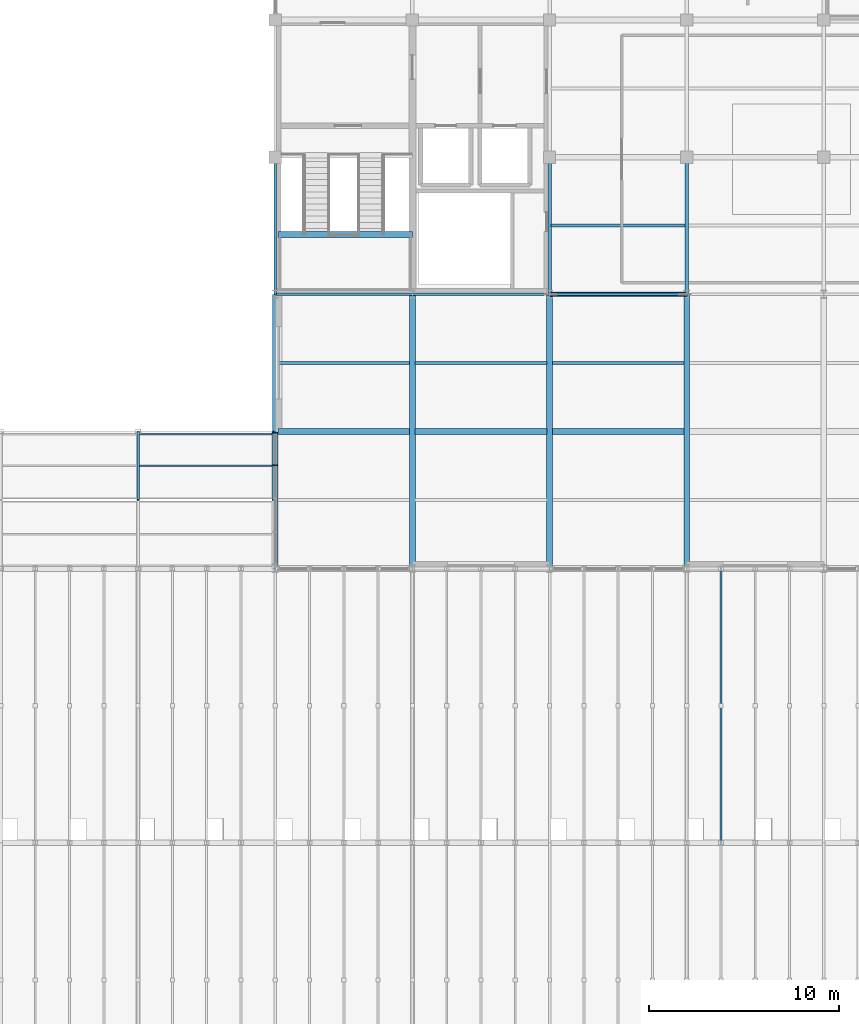
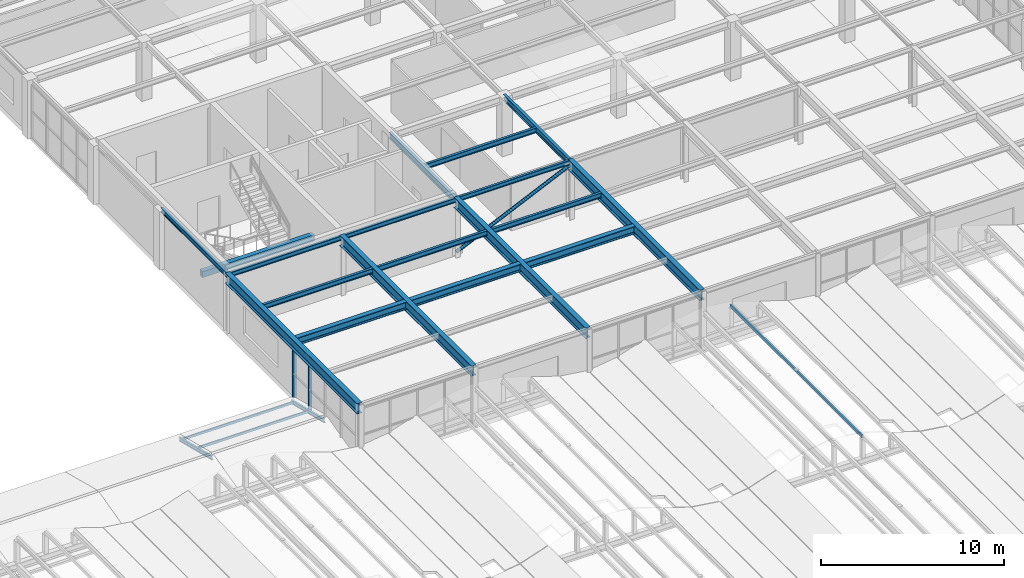
# One storey, part 35 of 83: 18 beams, 8 members, 1 element without a shape of its own.
"""IFC4 building model written with IfcOpenShell, lengths in metres."""

from ifc_helpers import new_model, si_unit, direction, frame, origin, origin_2d, place, context, subcontext, project, spatial, rectangle, hollow_rectangle, hollow_circle, i_section, extrude, material, material_profile, profile_set, type_object, element, aggregate, save


model = new_model("IFC4")

# Units and contexts
model_context = context("Model", 3, precision=1e-05, world=origin(), true_north=direction((0.0, 1.0)))
body_context = subcontext(model_context, "Body", "Model", "MODEL_VIEW")
ifc_project = project(units=[si_unit("LENGTHUNIT", "METRE"), si_unit("AREAUNIT", "SQUARE_METRE"), si_unit("VOLUMEUNIT", "CUBIC_METRE"), si_unit("PLANEANGLEUNIT", "RADIAN"), si_unit("MASSUNIT", "GRAM", prefix="KILO")], contexts=[model_context])

# Site, building, storey
site_placement = place(None, origin())
site = spatial("IfcSite", under=ifc_project, at=site_placement, CompositionType="ELEMENT")
building_placement = place(site_placement, origin())
building = spatial("IfcBuilding", under=site, at=building_placement, Name="Leyfeld Transit Interchange", CompositionType="ELEMENT")
storey_placement = place(building_placement, frame((0.0, 0.0, 5.39990234375)))
storey = spatial("IfcBuildingStorey", under=building, at=storey_placement, Name="L01", CompositionType="ELEMENT", Elevation=5.39990234375)

# Beams
ifc_material_1 = material(Name="Concrete C35/45", Category="concrete")
ifc_material_profile_1 = material_profile(ifc_material_1, rectangle(XDim=0.300048828125, YDim=0.39990234375, at=origin_2d()), Name="RC 400x300")
ifc_profile_set_1 = profile_set([ifc_material_profile_1], Name="Concrete C35/45")
beam_type_1 = type_object("IfcBeamType", Name="BM-RC-400x300", PredefinedType="LINTEL", material=ifc_profile_set_1)
beam_1_placement = place(storey_placement, frame((136.949951171875, 60.739990234375, 1.900146484375), z_axis=(1.0, 0.0, 0.0), x_axis=(0.0, 1.0, 0.0)))
element("IfcBeam", 1, at=beam_1_placement, inside=storey, type_object=beam_type_1, Name="Stair ST-04 L01 Half-Landing Corbel", PredefinedType="LINTEL", context=body_context, shape_type="SweptSolid", body=[
    extrude(rectangle(XDim=0.300048828125, YDim=0.39990234375, at=origin_2d()), origin(), (0.0, 0.0, 1.0), 7.050048828125),
])
ifc_material_2 = material(Name="Steel S355J2", Category="steel")
ifc_material_profile_2 = material_profile(ifc_material_2, i_section(OverallWidth=0.300048828125, OverallDepth=0.5, WebThickness=0.014404296875, FlangeThickness=0.028076171875, FilletRadius=0.027099609375, at=origin_2d()), Name="HEB 500")
ifc_profile_set_2 = profile_set([ifc_material_profile_2], Name="Steel S355J2")
beam_type_2 = type_object("IfcBeamType", Name="BM-STL-HEB500", PredefinedType="JOIST", material=ifc_profile_set_2)
for number, where, z_axis, x_axis, name in (
    (2, (136.947021484375, 50.39990234375, 3.7001953125), (1.0, 0.0, 0.0), (0.0, 1.0, 0.0), "Beam BM-L01-1369_0504-1439_0504"),
    (3, (144.14697265625, 50.39990234375, 3.7001953125), (1.0, 0.0, 0.0), (0.0, 1.0, 0.0), "Beam BM-L01-1441_0504-1511_0504"),
    (4, (151.346923828125, 50.39990234375, 3.7001953125), (1.0, 0.0, 0.0), (0.0, 1.0, 0.0), "Beam BM-L01-1513_0504-1583_0504"),
):
    element("IfcBeam", number, at=place(storey_placement, frame(where, z_axis=z_axis, x_axis=x_axis)), inside=storey, type_object=beam_type_2, Name=name, PredefinedType="JOIST", context=body_context, shape_type="SweptSolid", body=[
        extrude(i_section(OverallWidth=0.300048828125, OverallDepth=0.5, WebThickness=0.014404296875, FlangeThickness=0.028076171875, FilletRadius=0.027099609375, at=origin_2d()), origin(), (0.0, 0.0, 1.0), 6.906005859375),
    ])
ifc_material_profile_3 = material_profile(ifc_material_2, i_section(OverallWidth=0.300048828125, OverallDepth=0.699951171875, WebThickness=0.01708984375, FlangeThickness=0.031982421875, FilletRadius=0.027099609375, at=origin_2d()), Name="HEB 700")
ifc_profile_set_3 = profile_set([ifc_material_profile_3], Name="Steel S355J2")
beam_type_3 = type_object("IfcBeamType", Name="BM-STL-HEB700", PredefinedType="JOIST", material=ifc_profile_set_3)
for number, where, z_axis, x_axis, name in (
    (5, (136.800048828125, 43.199951171875, 3.60009765625), (0.0, 1.0, 0.0), (-1.0, 0.0, 0.0), "Beam BM-L01-1368_0432-1368_0576"),
    (6, (144.0, 43.199951171875, 3.60009765625), (0.0, 1.0, 0.0), (-1.0, 0.0, 0.0), "Beam BM-L01-1440_0432-1440_0576"),
    (7, (151.199951171875, 43.199951171875, 3.60009765625), (0.0, 1.0, 0.0), (-1.0, 0.0, 0.0), "Beam BM-L01-1512_0432-1512_0576"),
    (8, (158.39990234375, 43.199951171875, 3.60009765625), (0.0, 1.0, 0.0), (-1.0, 0.0, 0.0), "Beam BM-L01-1584_0432-1584_0576"),
):
    element("IfcBeam", number, at=place(storey_placement, frame(where, z_axis=z_axis, x_axis=x_axis)), inside=storey, type_object=beam_type_3, Name=name, PredefinedType="JOIST", context=body_context, shape_type="SweptSolid", body=[
        extrude(i_section(OverallWidth=0.300048828125, OverallDepth=0.699951171875, WebThickness=0.01708984375, FlangeThickness=0.031982421875, FilletRadius=0.027099609375, at=origin_2d()), origin(), (0.0, 0.0, 1.0), 14.400146484375),
    ])
ifc_material_profile_4 = material_profile(ifc_material_2, i_section(OverallWidth=0.14990234375, OverallDepth=0.300048828125, WebThickness=0.007080078125, FlangeThickness=0.0107421875, FilletRadius=0.014892578125, at=origin_2d()), Name="IPE 300")
ifc_profile_set_4 = profile_set([ifc_material_profile_4], Name="Steel S355J2")
beam_type_4 = type_object("IfcBeamType", Name="BM-STL-IPE300", PredefinedType="SPANDREL", material=ifc_profile_set_4)
for number, where, z_axis, x_axis, name in (
    (9, (136.800048828125, 57.60009765625, 3.75), (0.0, 1.0, 0.0), (-1.0, 0.0, 0.0), "Beam BM-L01-1368_0576-1368_0648"),
    (10, (136.800048828125, 57.60009765625, 3.75), (1.0, 0.0, 0.0), (0.0, 1.0, 0.0), "Beam BM-L01-1368_0576-1440_0576"),
    (11, (144.0, 57.60009765625, 3.75), (1.0, 0.0, 0.0), (0.0, 1.0, 0.0), "Beam BM-L01-1440_0576-1512_0576"),
    (12, (151.199951171875, 57.60009765625, 3.75), (1.0, 0.0, 0.0), (0.0, 1.0, 0.0), "Beam BM-L01-1512_0576-1584_0576"),
):
    element("IfcBeam", number, at=place(storey_placement, frame(where, z_axis=z_axis, x_axis=x_axis)), inside=storey, type_object=beam_type_4, Name=name, PredefinedType="SPANDREL", context=body_context, shape_type="SweptSolid", body=[
        extrude(i_section(OverallWidth=0.14990234375, OverallDepth=0.300048828125, WebThickness=0.007080078125, FlangeThickness=0.0107421875, FilletRadius=0.014892578125, at=origin_2d()), origin(), (0.0, 0.0, 1.0), 7.199951171875),
    ])
ifc_material_profile_5 = material_profile(ifc_material_2, i_section(OverallWidth=0.159912109375, OverallDepth=0.330078125, WebThickness=0.007568359375, FlangeThickness=0.011474609375, FilletRadius=0.01806640625, at=origin_2d()), Name="IPE 330")
ifc_profile_set_5 = profile_set([ifc_material_profile_5], Name="Steel S355J2")
beam_type_5 = type_object("IfcBeamType", Name="BM-STL-IPE330", PredefinedType="BEAM", material=ifc_profile_set_5)
beam_2_placement = place(storey_placement, frame((151.287109375, 61.199951171875, 3.735107421875), z_axis=(1.0, 0.0, 0.0), x_axis=(0.0, 1.0, 0.0)))
element("IfcBeam", 13, at=beam_2_placement, inside=storey, type_object=beam_type_5, Name="Beam BM-L01-1513_0612-1583_0612", PredefinedType="BEAM", context=body_context, shape_type="SweptSolid", body=[
    extrude(i_section(OverallWidth=0.159912109375, OverallDepth=0.330078125, WebThickness=0.007568359375, FlangeThickness=0.011474609375, FilletRadius=0.01806640625, at=origin_2d()), origin(), (0.0, 0.0, 1.0), 7.02587890625),
])
for number, where, z_axis, x_axis, name in (
    (14, (136.947021484375, 54.0, 3.78515625), (1.0, 0.0, 0.0), (0.0, 1.0, 0.0), "Beam BM-L01-1369_0540-1439_0540"),
    (15, (144.14697265625, 54.0, 3.78515625), (1.0, 0.0, 0.0), (0.0, 1.0, 0.0), "Beam BM-L01-1441_0540-1511_0540"),
    (16, (151.346923828125, 54.0, 3.78515625), (1.0, 0.0, 0.0), (0.0, 1.0, 0.0), "Beam BM-L01-1513_0540-1583_0540"),
):
    element("IfcBeam", number, at=place(storey_placement, frame(where, z_axis=z_axis, x_axis=x_axis)), inside=storey, type_object=beam_type_5, Name=name, PredefinedType="BEAM", context=body_context, shape_type="SweptSolid", body=[
        extrude(i_section(OverallWidth=0.159912109375, OverallDepth=0.330078125, WebThickness=0.007568359375, FlangeThickness=0.011474609375, FilletRadius=0.01806640625, at=origin_2d()), origin(), (0.0, 0.0, 1.0), 6.906005859375),
    ])
ifc_material_profile_6 = material_profile(ifc_material_2, i_section(OverallWidth=0.179931640625, OverallDepth=0.39990234375, WebThickness=0.008544921875, FlangeThickness=0.013427734375, FilletRadius=0.02099609375, at=origin_2d()), Name="IPE 400")
ifc_profile_set_6 = profile_set([ifc_material_profile_6], Name="Steel S355J2")
beam_type_6 = type_object("IfcBeamType", Name="BM-STL-IPE400", PredefinedType="BEAM", material=ifc_profile_set_6)
for number, where, z_axis, x_axis, name in (
    (17, (151.199951171875, 57.60009765625, 3.7001953125), (0.0, 1.0, 0.0), (-1.0, 0.0, 0.0), "Beam BM-L01-1512_0576-1512_0648"),
    (18, (158.39990234375, 57.60009765625, 3.7001953125), (0.0, 1.0, 0.0), (-1.0, 0.0, 0.0), "Beam BM-L01-1584_0576-1584_0648"),
):
    element("IfcBeam", number, at=place(storey_placement, frame(where, z_axis=z_axis, x_axis=x_axis)), inside=storey, type_object=beam_type_6, Name=name, PredefinedType="BEAM", context=body_context, shape_type="SweptSolid", body=[
        extrude(i_section(OverallWidth=0.179931640625, OverallDepth=0.39990234375, WebThickness=0.008544921875, FlangeThickness=0.013427734375, FilletRadius=0.02099609375, at=origin_2d()), origin(), (0.0, 0.0, 1.0), 7.199951171875),
    ])

# Curtain wall, members
ifc_material_3 = material(Name="Anodised aluminium EN AW-6060 T66", Category="aluminium")
curtain_wall_type = type_object("IfcCurtainWallType", Name="CW-SYS-PAS-7200", PredefinedType="NOTDEFINED", material=ifc_material_3)
curtain_wall_placement = place(storey_placement, origin())
curtain_wall = element("IfcCurtainWall", 19, at=curtain_wall_placement, inside=storey, type_object=curtain_wall_type, Name="Curtain Wall CW-L01-100", PredefinedType="NOTDEFINED")
ifc_material_profile_7 = material_profile(ifc_material_3, rectangle(XDim=0.074951171875, YDim=0.219970703125, at=origin_2d()), Name="CW-M 75x220")
ifc_profile_set_7 = profile_set([ifc_material_profile_7], Name="Anodised aluminium EN AW-6060 T66")
member_type_1 = type_object("IfcMemberType", Name="CW-MUL-180x70", PredefinedType="MULLION", material=ifc_profile_set_7)
member_1_placement = place(storey_placement, frame((136.800048828125, 48.625, 0.0), z_axis=(0.0, 0.0, 1.0), x_axis=(0.0, 1.0, 0.0)))
member_1 = element("IfcMember", 20, at=member_1_placement, type_object=member_type_1, Name="Curtain Mullion CW-L01-100-M04", PredefinedType="MULLION", context=body_context, shape_type="SweptSolid", body=[
    extrude(rectangle(XDim=0.074951171875, YDim=0.219970703125, at=origin_2d()), origin(), (0.0, 0.0, 1.0), 3.25),
])
member_2_placement = place(storey_placement, frame((136.800048828125, 50.33251953125, 0.0), z_axis=(0.0, 0.0, 1.0), x_axis=(0.0, 1.0, 0.0)))
member_2 = element("IfcMember", 21, at=member_2_placement, type_object=member_type_1, Name="Curtain Mullion CW-L01-100-M05", PredefinedType="MULLION", context=body_context, shape_type="SweptSolid", body=[
    extrude(rectangle(XDim=0.074951171875, YDim=0.219970703125, at=origin_2d()), origin(), (0.0, 0.0, 1.0), 3.25),
])
aggregate(curtain_wall, [member_1, member_2])

# Members
ifc_material_profile_8 = material_profile(ifc_material_2, hollow_circle(Radius=0.109619140625, WallThickness=0.012451171875, at=origin_2d()), Name="CHS 219.1x12.5")
ifc_profile_set_8 = profile_set([ifc_material_profile_8], Name="Steel S355J2")
member_type_2 = type_object("IfcMemberType", Name="MEM-BRC-CHS219", PredefinedType="BRACE", material=ifc_profile_set_8)
member_3_placement = place(storey_placement, frame((151.199951171875, 57.60009765625, 0.25), z_axis=(0.909061417515, 0.0, 0.416662140332), x_axis=(0.0, 1.0, 0.0)))
element("IfcMember", 22, at=member_3_placement, inside=storey, type_object=member_type_2, Name="Lateral Diagonal Brace 008", PredefinedType="BRACE", context=body_context, shape_type="SweptSolid", body=[
    extrude(hollow_circle(Radius=0.109619140625, WallThickness=0.012451171875, at=origin_2d()), origin(), (0.0, 0.0, 1.0), 7.920166015625),
])
ifc_material_profile_9 = material_profile(ifc_material_2, i_section(OverallWidth=0.1201171875, OverallDepth=0.239990234375, WebThickness=0.006103515625, FlangeThickness=0.009765625, FilletRadius=0.014892578125, at=origin_2d()), Name="IPE 240")
ifc_profile_set_9 = profile_set([ifc_material_profile_9], Name="Steel S355J2")
member_type_3 = type_object("IfcMemberType", Name="MEM-PUR-IPE240", PredefinedType="PURLIN", material=ifc_profile_set_9)
for number, where, z_axis, x_axis, name in (
    (23, (129.60009765625, 50.39990234375, -0.27001953125), (0.0, -0.970130888347, 0.242582067503), (1.0, 0.0, 0.0), "Passage Gable Rafter N 05"),
    (24, (136.679931640625, 50.39990234375, -0.27001953125), (0.0, -0.970130888347, 0.242582067503), (1.0, 0.0, 0.0), "Passage Gable Rafter N 06"),
):
    element("IfcMember", number, at=place(storey_placement, frame(where, z_axis=z_axis, x_axis=x_axis)), inside=storey, type_object=member_type_3, Name=name, PredefinedType="PURLIN", context=body_context, shape_type="SweptSolid", body=[
        extrude(i_section(OverallWidth=0.1201171875, OverallDepth=0.239990234375, WebThickness=0.006103515625, FlangeThickness=0.009765625, FilletRadius=0.014892578125, at=origin_2d()), origin(), (0.0, 0.0, 1.0), 3.710693359375),
    ])
ifc_material_profile_10 = material_profile(ifc_material_2, hollow_rectangle(XDim=0.080078125, YDim=0.159912109375, WallThickness=0.008056640625, at=origin_2d()), Name="RHS 160x80x8")
ifc_profile_set_10 = profile_set([ifc_material_profile_10], Name="Steel S355J2")
member_type_4 = type_object("IfcMemberType", Name="MEM-PUR-RHS160", PredefinedType="PURLIN", material=ifc_profile_set_10)
for number, where, z_axis, x_axis, name in (
    (25, (129.60009765625, 48.60009765625, 0.170166015625), (1.0, 0.0, 0.0), (0.0, 1.0, 0.0), "Passage Roof Purlin RN 05"),
    (26, (129.60009765625, 50.25, -0.239990234375), (1.0, 0.0, 0.0), (0.0, 1.0, 0.0), "Passage Roof Purlin EN 05"),
):
    element("IfcMember", number, at=place(storey_placement, frame(where, z_axis=z_axis, x_axis=x_axis)), inside=storey, type_object=member_type_4, Name=name, PredefinedType="PURLIN", context=body_context, shape_type="SweptSolid", body=[
        extrude(hollow_rectangle(XDim=0.080078125, YDim=0.159912109375, WallThickness=0.008056640625, at=origin_2d()), origin(), (0.0, 0.0, 1.0), 7.199951171875),
    ])
ifc_material_profile_11 = material_profile(ifc_material_2, hollow_rectangle(XDim=0.10009765625, YDim=0.199951171875, WallThickness=0.008056640625, at=origin_2d()), Name="RHS 200x100x8")
ifc_profile_set_11 = profile_set([ifc_material_profile_11], Name="Steel S355J2")
member_type_5 = type_object("IfcMemberType", Name="MEM-PUR-RHS200", PredefinedType="PURLIN", material=ifc_profile_set_11)
member_4_placement = place(storey_placement, frame((160.199951171875, 28.800048828125, 2.259765625), z_axis=(0.0, 1.0, 0.0), x_axis=(-1.0, 0.0, 0.0)))
element("IfcMember", 27, at=member_4_placement, inside=storey, type_object=member_type_5, Name="Bus Canopy Purlin 220", PredefinedType="PURLIN", context=body_context, shape_type="SweptSolid", body=[
    extrude(hollow_rectangle(XDim=0.10009765625, YDim=0.199951171875, WallThickness=0.008056640625, at=origin_2d()), origin(), (0.0, 0.0, 1.0), 14.39990234375),
])

save(model, "model.ifc")
